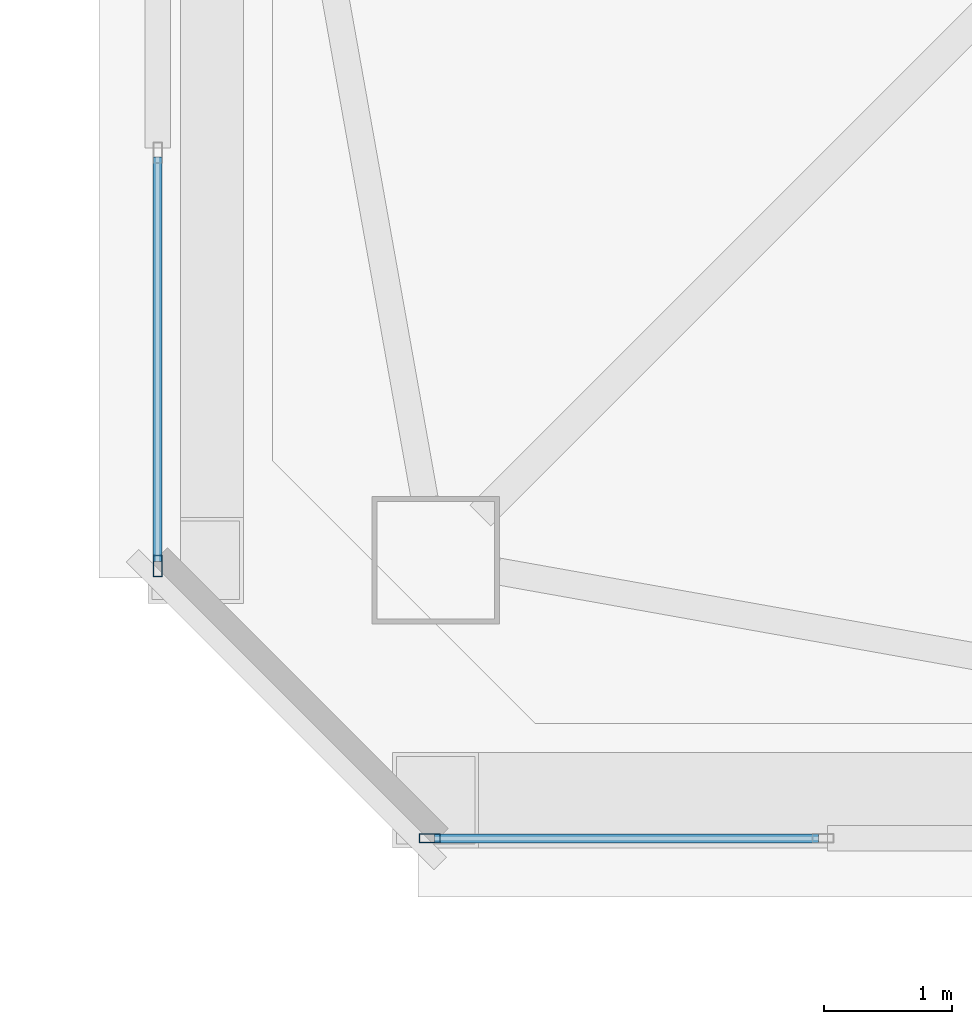
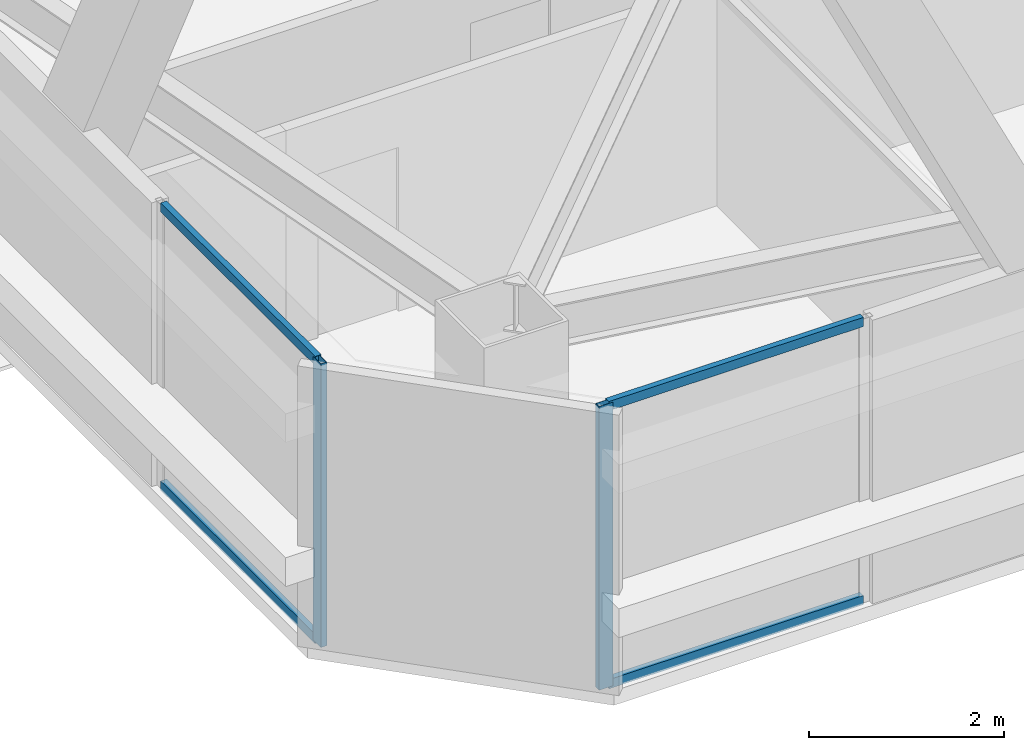
# One storey, part 3 of 56: 6 members, 2 elements without a shape of their own.
"""IFC4 building model written with IfcOpenShell, lengths in metres."""

from ifc_helpers import new_model, si_unit, direction, frame, origin, origin_2d, place, context, subcontext, project, spatial, hollow_rectangle, extrude, material, material_profile, profile_set, type_object, element, aggregate, save


model = new_model("IFC4")

# Units and contexts
model_context = context("Model", 3, precision=1e-05, world=origin(), true_north=direction((0.0, 1.0)))
body_context = subcontext(model_context, "Body", "Model", "MODEL_VIEW")
ifc_project = project(units=[si_unit("LENGTHUNIT", "METRE"), si_unit("AREAUNIT", "SQUARE_METRE"), si_unit("VOLUMEUNIT", "CUBIC_METRE"), si_unit("PLANEANGLEUNIT", "RADIAN"), si_unit("MASSUNIT", "GRAM", prefix="KILO")], contexts=[model_context])

# Site, building, storey
site_placement = place(None, origin())
site = spatial("IfcSite", under=ifc_project, at=site_placement, CompositionType="ELEMENT")
building_placement = place(site_placement, origin())
building = spatial("IfcBuilding", under=site, at=building_placement, Name="Tashvorn Skyway Center", CompositionType="ELEMENT")
storey_placement = place(building_placement, frame((0.0, 0.0, 218.39990234375)))
storey = spatial("IfcBuildingStorey", under=building, at=storey_placement, Name="L59", CompositionType="ELEMENT", Elevation=218.39990234375)

# Curtain wall, member
ifc_material = material(Name="Thermally broken bronze-anodized aluminium 6063-T6", Category="aluminium")
curtain_wall_type = type_object("IfcCurtainWallType", Name="CW-CW-Z5", PredefinedType="NOTDEFINED", material=ifc_material)
curtain_wall_1_placement = place(storey_placement, origin())
curtain_wall_1 = element("IfcCurtainWall", 1, at=curtain_wall_1_placement, inside=storey, type_object=curtain_wall_type, Name="Tower 1 L59 South Unitised Curtain Wall Glazing Group 3", PredefinedType="NOTDEFINED")
ifc_material_profile_1 = material_profile(ifc_material, hollow_rectangle(XDim=0.070068359375, YDim=0.1650390625, WallThickness=0.00390625, at=origin_2d()), Name="ALU-MULL-70x165")
ifc_profile_set_1 = profile_set([ifc_material_profile_1], Name="Thermally broken bronze-anodized aluminium 6063-T6")
member_type_1 = type_object("IfcMemberType", Name="CWM-CW-Z5", PredefinedType="MULLION", material=ifc_profile_set_1)
member_1_placement = place(storey_placement, frame((27.85498046875, 15.719970703125, 0.0), z_axis=(0.0, 0.0, 1.0), x_axis=(0.0, -1.0, 0.0)))
member_1 = element("IfcMember", 2, at=member_1_placement, type_object=member_type_1, Name="CW-Z5 mullion 2", PredefinedType="MULLION", context=body_context, shape_type="SweptSolid", body=[
    extrude(hollow_rectangle(XDim=0.070068359375, YDim=0.1650390625, WallThickness=0.00390625, at=origin_2d()), origin(), (0.0, 0.0, 1.0), 3.550048828125),
])

curtain_wall_2_placement = place(storey_placement, origin())
curtain_wall_2 = element("IfcCurtainWall", 3, at=curtain_wall_2_placement, inside=storey, type_object=curtain_wall_type, Name="Tower 1 L59 West Curtain Wall L Glazing Group 1", PredefinedType="NOTDEFINED")
member_2_placement = place(storey_placement, frame((25.719970703125, 17.85498046875, 0.0), z_axis=(0.0, 0.0, 1.0), x_axis=(-1.0, 0.0, 0.0)))
member_2 = element("IfcMember", 4, at=member_2_placement, type_object=member_type_1, Name="CW-Z5 mullion 1", PredefinedType="MULLION", context=body_context, shape_type="SweptSolid", body=[
    extrude(hollow_rectangle(XDim=0.070068359375, YDim=0.1650390625, WallThickness=0.00390625, at=origin_2d()), origin(), (0.0, 0.0, 1.0), 3.550048828125),
])

# Member
ifc_material_profile_2 = material_profile(ifc_material, hollow_rectangle(XDim=0.070068359375, YDim=0.114990234375, WallThickness=0.00390625, at=origin_2d()), Name="ALU-TRAN-70x115")
ifc_profile_set_2 = profile_set([ifc_material_profile_2], Name="Thermally broken bronze-anodized aluminium 6063-T6")
member_type_2 = type_object("IfcMemberType", Name="CWT-CW-Z5", PredefinedType="USERDEFINED", material=ifc_profile_set_2)
member_3_placement = place(storey_placement, frame((30.901123046875, 15.719970703125, 0.03515625), z_axis=(-1.0, 0.0, 0.0), x_axis=(0.0, -1.0, 0.0)))
member_3 = element("IfcMember", 5, at=member_3_placement, type_object=member_type_2, Name="CW-Z5 transom 1.1", ObjectType="TRANSOM", PredefinedType="USERDEFINED", context=body_context, shape_type="SweptSolid", body=[
    extrude(hollow_rectangle(XDim=0.070068359375, YDim=0.114990234375, WallThickness=0.00390625, at=origin_2d()), origin(), (0.0, 0.0, 1.0), 3.01123046875),
])

member_4_placement = place(storey_placement, frame((30.901123046875, 15.719970703125, 3.51513671875), z_axis=(-1.0, 0.0, 0.0), x_axis=(0.0, -1.0, 0.0)))
member_4 = element("IfcMember", 6, at=member_4_placement, type_object=member_type_2, Name="CW-Z5 transom 1.2", ObjectType="TRANSOM", PredefinedType="USERDEFINED", context=body_context, shape_type="SweptSolid", body=[
    extrude(hollow_rectangle(XDim=0.070068359375, YDim=0.114990234375, WallThickness=0.00390625, at=origin_2d()), origin(), (0.0, 0.0, 1.0), 3.01123046875),
])

aggregate(curtain_wall_1, [member_1, member_3, member_4])

member_5_placement = place(storey_placement, frame((25.719970703125, 17.889892578125, 0.03515625), z_axis=(0.0, 1.0, 0.0), x_axis=(-1.0, 0.0, 0.0)))
member_5 = element("IfcMember", 7, at=member_5_placement, type_object=member_type_2, Name="CW-Z5 transom 1.1", ObjectType="TRANSOM", PredefinedType="USERDEFINED", context=body_context, shape_type="SweptSolid", body=[
    extrude(hollow_rectangle(XDim=0.070068359375, YDim=0.114990234375, WallThickness=0.00390625, at=origin_2d()), origin(), (0.0, 0.0, 1.0), 3.170166015625),
])

member_6_placement = place(storey_placement, frame((25.719970703125, 17.889892578125, 3.51513671875), z_axis=(0.0, 1.0, 0.0), x_axis=(-1.0, 0.0, 0.0)))
member_6 = element("IfcMember", 8, at=member_6_placement, type_object=member_type_2, Name="CW-Z5 transom 1.2", ObjectType="TRANSOM", PredefinedType="USERDEFINED", context=body_context, shape_type="SweptSolid", body=[
    extrude(hollow_rectangle(XDim=0.070068359375, YDim=0.114990234375, WallThickness=0.00390625, at=origin_2d()), origin(), (0.0, 0.0, 1.0), 3.170166015625),
])

aggregate(curtain_wall_2, [member_2, member_5, member_6])

save(model, "model.ifc")
